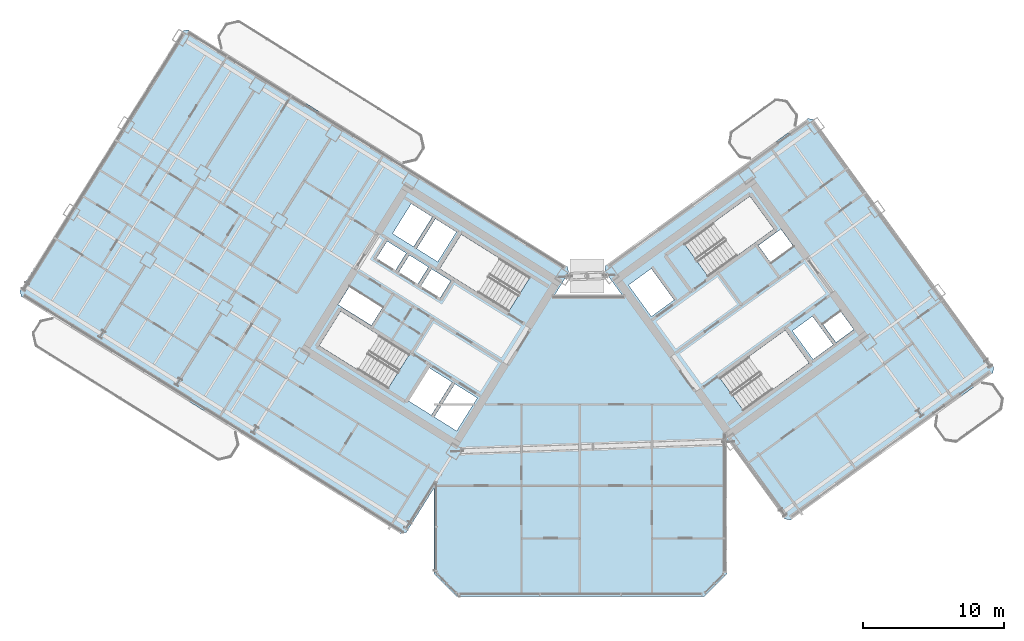
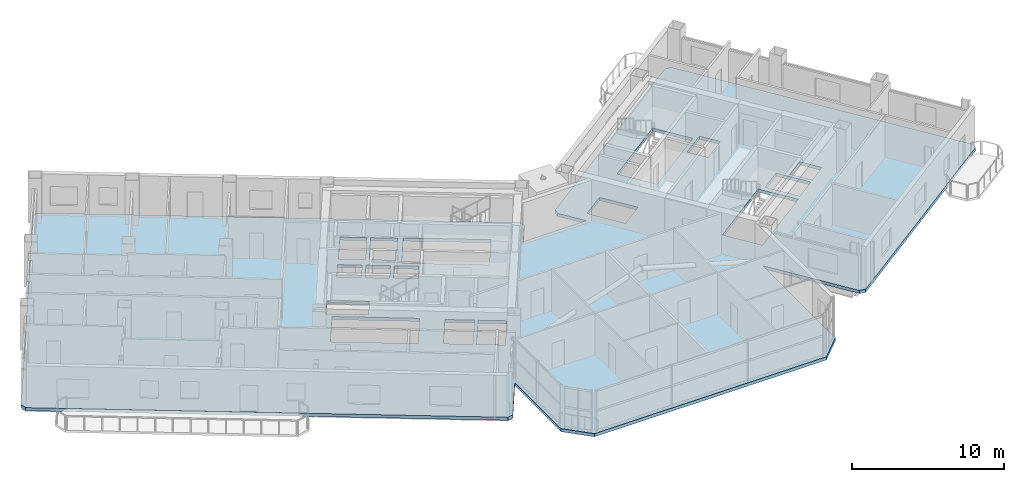
# One storey, part 13 of 29: 1 slab.
"""IFC4 building model written with IfcOpenShell, lengths in metres."""

from ifc_helpers import new_model, si_unit, direction, frame, origin, place, context, subcontext, project, spatial, polyline, outline, extrude, material, layer, layer_set, type_object, element, save


model = new_model("IFC4")

# Units and contexts
model_context = context("Model", 3, precision=1e-05, world=origin(), true_north=direction((0.0, 1.0)))
body_context = subcontext(model_context, "Body", "Model", "MODEL_VIEW")
ifc_project = project(units=[si_unit("LENGTHUNIT", "METRE"), si_unit("AREAUNIT", "SQUARE_METRE"), si_unit("VOLUMEUNIT", "CUBIC_METRE"), si_unit("PLANEANGLEUNIT", "RADIAN"), si_unit("MASSUNIT", "GRAM", prefix="KILO")], contexts=[model_context])

# Site, building, storey
site_placement = place(None, origin())
site = spatial("IfcSite", under=ifc_project, at=site_placement, CompositionType="ELEMENT")
building_placement = place(site_placement, origin())
building = spatial("IfcBuilding", under=site, at=building_placement, Name="Tlacorven Tower", CompositionType="ELEMENT")
storey_placement = place(building_placement, frame((0.0, 0.0, 151.5)))
storey = spatial("IfcBuildingStorey", under=building, at=storey_placement, Name="L38", CompositionType="ELEMENT", Elevation=151.5)

# Slab
ifc_material = material(Name="Concrete C40/50", Category="concrete")
ifc_layer = layer(ifc_material, 0.25)
ifc_layer_set = layer_set([ifc_layer], Name="Concrete C40/50")
slab_type = type_object("IfcSlabType", Name="SL-TWR-250", PredefinedType="FLOOR", material=ifc_layer_set)
slab_placement = place(storey_placement, frame((0.0, 0.0, -0.25)))
element("IfcSlab", 1, at=slab_placement, inside=storey, type_object=slab_type, Name="L38 Boomerang Tower Floor Slab", PredefinedType="FLOOR", context=body_context, shape_type="SweptSolid", body=[
    extrude(outline(polyline([(52.39990234375, 3.39990234375), (50.800048828125, 1.800048828125), (33.199951171875, 1.800048828125), (31.60009765625, 3.39990234375), (31.60009765625, 9.470703125), (29.652587890625, 6.35400390625), (29.2392578125, 6.258544921875), (2.339111328125, 23.067626953125), (2.24365234375, 23.481201171875), (13.75341796875, 41.900634765625), (14.1669921875, 41.99609375), (41.06689453125, 25.18701171875), (41.162353515625, 24.773681640625), (40.178955078125, 23.199951171875), (44.932373046875, 23.199951171875), (43.723876953125, 24.86328125), (43.790283203125, 25.2822265625), (58.1259765625, 35.69775390625), (58.545166015625, 35.63134765625), (71.311767578125, 18.0595703125), (71.245361328125, 17.640380859375), (56.90966796875, 7.224853515625), (56.49072265625, 7.291259765625), (52.39990234375, 12.921630859375), (52.39990234375, 3.39990234375)]), holes=[polyline([(29.865478515625, 18.979736328125), (24.9892578125, 22.02685546875), (23.463134765625, 19.58447265625), (28.33935546875, 16.537353515625), (29.865478515625, 18.979736328125)]), polyline([(38.4169921875, 24.4375), (33.540771484375, 27.484375), (32.0146484375, 25.0419921875), (36.890869140625, 21.9951171875), (38.4169921875, 24.4375)]), polyline([(51.05908203125, 24.481689453125), (55.7109375, 27.861572265625), (54.01806640625, 30.19140625), (49.3662109375, 26.811767578125), (51.05908203125, 24.481689453125)]), polyline([(53.56298828125, 14.978759765625), (58.21484375, 18.3583984375), (56.52197265625, 20.6884765625), (51.8701171875, 17.30859375), (53.56298828125, 14.978759765625)]), polyline([(34.682373046875, 15.87548828125), (33.088134765625, 16.871826171875), (31.62548828125, 14.531005859375), (33.2197265625, 13.534912109375), (34.682373046875, 15.87548828125)]), polyline([(32.884521484375, 16.9990234375), (31.2392578125, 18.02685546875), (29.77685546875, 15.686279296875), (31.421875, 14.658203125), (32.884521484375, 16.9990234375)]), polyline([(47.0234375, 21.648681640625), (48.6416015625, 22.82421875), (47.019287109375, 25.05712890625), (45.401123046875, 23.881591796875), (47.0234375, 21.648681640625)]), polyline([(33.197265625, 27.65185546875), (31.704833984375, 28.58447265625), (30.3798828125, 26.46435546875), (31.87255859375, 25.53173828125), (33.197265625, 27.65185546875)]), polyline([(31.484375, 28.722412109375), (29.99169921875, 29.655029296875), (28.6669921875, 27.534912109375), (30.159423828125, 26.602294921875), (31.484375, 28.722412109375)]), polyline([(32.794921875, 24.17724609375), (31.43798828125, 25.025146484375), (30.685546875, 23.82080078125), (32.042236328125, 22.972900390625), (32.794921875, 24.17724609375)]), polyline([(31.217529296875, 25.162841796875), (29.860595703125, 26.0107421875), (29.108154296875, 24.806396484375), (30.465087890625, 23.958740234375), (31.217529296875, 25.162841796875)]), polyline([(29.64013671875, 26.1484375), (28.283203125, 26.996337890625), (27.53076171875, 25.792236328125), (28.8876953125, 24.9443359375), (29.64013671875, 26.1484375)]), polyline([(58.498779296875, 18.614013671875), (59.922607421875, 19.648681640625), (58.453125, 21.671142578125), (57.029296875, 20.63671875), (58.498779296875, 18.614013671875)]), polyline([(27.96142578125, 22.2919921875), (25.603759765625, 23.76513671875), (24.80908203125, 22.4931640625), (27.16650390625, 21.02001953125), (27.96142578125, 22.2919921875)]), polyline([(55.490478515625, 25.4765625), (57.092529296875, 26.640380859375), (56.210693359375, 27.85400390625), (54.60888671875, 26.690185546875), (55.490478515625, 25.4765625)]), polyline([(60.12109375, 19.817626953125), (61.38330078125, 20.734619140625), (60.45458984375, 22.012939453125), (59.192626953125, 21.095947265625), (60.12109375, 19.817626953125)])]), origin(), (0.0, 0.0, 1.0), 0.25),
])

save(model, "model.ifc")
